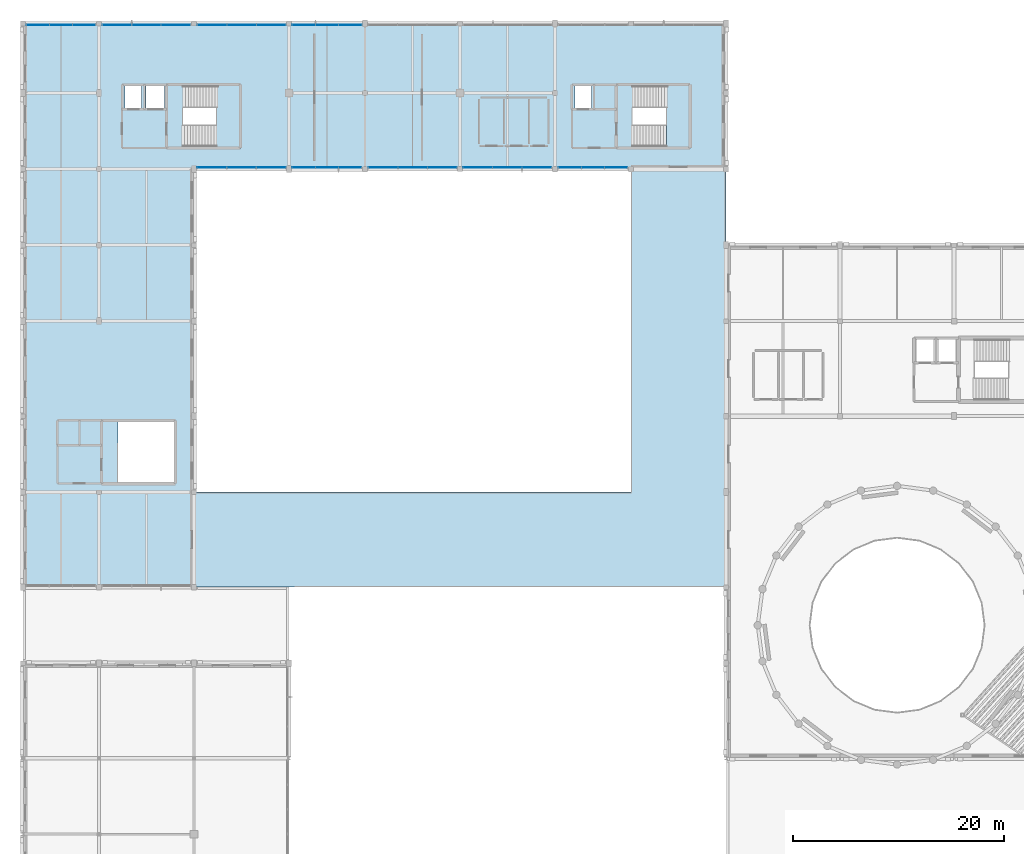
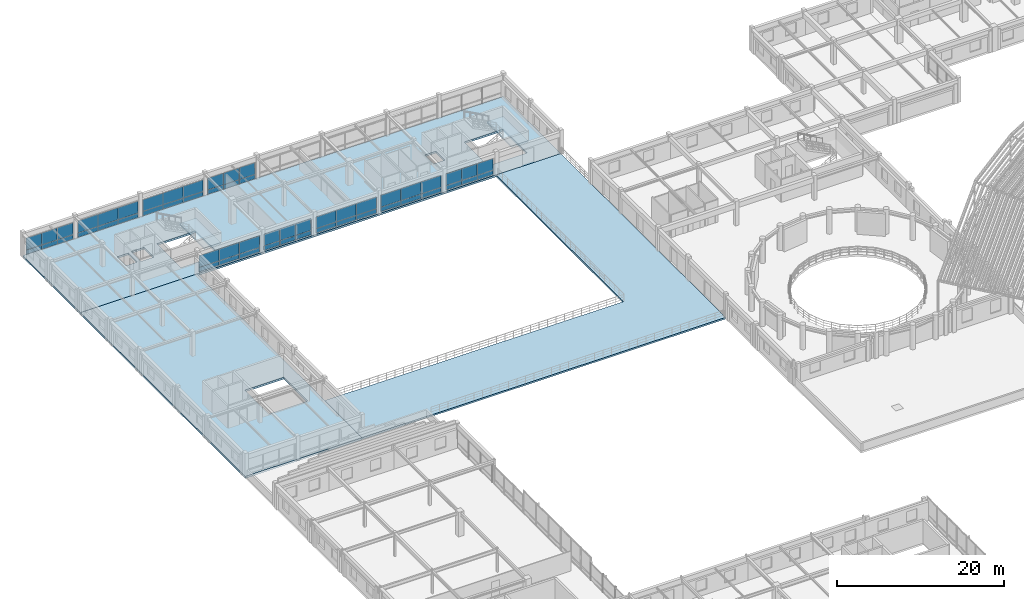
# One storey, part 41 of 74: 54 plates, 5 slabs, 11 elements without a shape of their own.
"""IFC4 building model written with IfcOpenShell, lengths in metres."""

from ifc_helpers import new_model, si_unit, direction, frame, frame_2d, origin, place, context, subcontext, project, spatial, polyline, rectangle, outline, extrude, material, layer, layer_set, type_object, element, aggregate, save


model = new_model("IFC4")

# Units and contexts
model_context = context("Model", 3, precision=1e-05, world=origin(), true_north=direction((0.0, 1.0)))
body_context = subcontext(model_context, "Body", "Model", "MODEL_VIEW")
ifc_project = project(units=[si_unit("LENGTHUNIT", "METRE"), si_unit("AREAUNIT", "SQUARE_METRE"), si_unit("VOLUMEUNIT", "CUBIC_METRE"), si_unit("PLANEANGLEUNIT", "RADIAN"), si_unit("MASSUNIT", "GRAM", prefix="KILO")], contexts=[model_context])

# Site, building, storey
site_placement = place(None, origin())
site = spatial("IfcSite", under=ifc_project, at=site_placement, CompositionType="ELEMENT")
building_placement = place(site_placement, origin())
building = spatial("IfcBuilding", under=site, at=building_placement, Name="Clarverna Civic Hall", CompositionType="ELEMENT")
storey_placement = place(building_placement, frame((0.0, 0.0, 13.199951171875)))
storey = spatial("IfcBuildingStorey", under=building, at=storey_placement, Name="L03", CompositionType="ELEMENT", Elevation=13.199951171875)

# Curtain wall, plates
ifc_material_1 = material(Name="Anodised Bronze Architectural Aluminium", Category="aluminium")
curtain_wall_type = type_object("IfcCurtainWallType", Name="CW-05", PredefinedType="USERDEFINED", material=ifc_material_1)
curtain_wall_1_placement = place(storey_placement, origin())
curtain_wall_1 = element("IfcCurtainWall", 1, at=curtain_wall_1_placement, inside=storey, type_object=curtain_wall_type, Name="CW-05-001", ObjectType="UNITISED CURTAIN WALL", PredefinedType="USERDEFINED")
ifc_material_2 = material(Name="Solar-Control Argon Low-E Double Glazing", Category="glass")
ifc_layer_1 = layer(ifc_material_2, 0.031982421875)
ifc_layer_set_1 = layer_set([ifc_layer_1], Name="Solar-Control Argon Low-E Double Glazing")
plate_type_1 = type_object("IfcPlateType", Name="CWP-01", PredefinedType="CURTAIN_PANEL", material=ifc_layer_set_1)
plate_1_placement = place(storey_placement, frame((0.337890625, 115.860107421875, 0.76513671875), z_axis=(0.0, 0.0, 1.0), x_axis=(1.0, 0.0, 0.0)))
plate_1 = element("IfcPlate", 2, at=plate_1_placement, type_object=plate_type_1, Name="CWP-01-418", PredefinedType="CURTAIN_PANEL", context=body_context, shape_type="SweptSolid", body=[
    extrude(rectangle(XDim=2.15478515625, YDim=0.031982421875, at=frame_2d((1.077392578125, 0.0))), origin(), (0.0, 0.0, 1.0), 1.744873046875),
])
plate_2_placement = place(storey_placement, frame((2.522705078125, 115.860107421875, 0.76513671875), z_axis=(0.0, 0.0, 1.0), x_axis=(1.0, 0.0, 0.0)))
plate_2 = element("IfcPlate", 3, at=plate_2_placement, type_object=plate_type_1, Name="CWP-01-419", PredefinedType="CURTAIN_PANEL", context=body_context, shape_type="SweptSolid", body=[
    extrude(rectangle(XDim=2.154541015625, YDim=0.031982421875, at=frame_2d((1.0771484375, 0.0))), origin(), (0.0, 0.0, 1.0), 1.744873046875),
])
plate_3_placement = place(storey_placement, frame((4.707275390625, 115.860107421875, 0.76513671875), z_axis=(0.0, 0.0, 1.0), x_axis=(1.0, 0.0, 0.0)))
plate_3 = element("IfcPlate", 4, at=plate_3_placement, type_object=plate_type_1, Name="CWP-01-420", PredefinedType="CURTAIN_PANEL", context=body_context, shape_type="SweptSolid", body=[
    extrude(rectangle(XDim=2.15478515625, YDim=0.031982421875, at=frame_2d((1.077392578125, 0.0))), origin(), (0.0, 0.0, 1.0), 1.744873046875),
])

curtain_wall_2_placement = place(storey_placement, origin())
curtain_wall_2 = element("IfcCurtainWall", 5, at=curtain_wall_2_placement, inside=storey, type_object=curtain_wall_type, Name="CW-05-002", ObjectType="UNITISED CURTAIN WALL", PredefinedType="USERDEFINED")
plate_4_placement = place(storey_placement, frame((7.5380859375, 115.860107421875, 0.76513671875), z_axis=(0.0, 0.0, 1.0), x_axis=(1.0, 0.0, 0.0)))
plate_4 = element("IfcPlate", 6, at=plate_4_placement, type_object=plate_type_1, Name="CWP-01-421", PredefinedType="CURTAIN_PANEL", context=body_context, shape_type="SweptSolid", body=[
    extrude(rectangle(XDim=2.754638671875, YDim=0.031982421875, at=frame_2d((1.37744140625, 0.0))), origin(), (0.0, 0.0, 1.0), 1.744873046875),
])
plate_5_placement = place(storey_placement, frame((10.32275390625, 115.860107421875, 0.76513671875), z_axis=(0.0, 0.0, 1.0), x_axis=(1.0, 0.0, 0.0)))
plate_5 = element("IfcPlate", 7, at=plate_5_placement, type_object=plate_type_1, Name="CWP-01-422", PredefinedType="CURTAIN_PANEL", context=body_context, shape_type="SweptSolid", body=[
    extrude(rectangle(XDim=2.754638671875, YDim=0.031982421875, at=frame_2d((1.37744140625, 0.0))), origin(), (0.0, 0.0, 1.0), 1.744873046875),
])
plate_6_placement = place(storey_placement, frame((13.107421875, 115.860107421875, 0.76513671875), z_axis=(0.0, 0.0, 1.0), x_axis=(1.0, 0.0, 0.0)))
plate_6 = element("IfcPlate", 8, at=plate_6_placement, type_object=plate_type_1, Name="CWP-01-423", PredefinedType="CURTAIN_PANEL", context=body_context, shape_type="SweptSolid", body=[
    extrude(rectangle(XDim=2.754638671875, YDim=0.031982421875, at=frame_2d((1.37744140625, 0.0))), origin(), (0.0, 0.0, 1.0), 1.744873046875),
])

curtain_wall_3_placement = place(storey_placement, origin())
curtain_wall_3 = element("IfcCurtainWall", 9, at=curtain_wall_3_placement, inside=storey, type_object=curtain_wall_type, Name="CW-05-003", ObjectType="UNITISED CURTAIN WALL", PredefinedType="USERDEFINED")
plate_7_placement = place(storey_placement, frame((16.5380859375, 115.860107421875, 0.76513671875), z_axis=(0.0, 0.0, 1.0), x_axis=(1.0, 0.0, 0.0)))
plate_7 = element("IfcPlate", 10, at=plate_7_placement, type_object=plate_type_1, Name="CWP-01-424", PredefinedType="CURTAIN_PANEL", context=body_context, shape_type="SweptSolid", body=[
    extrude(rectangle(XDim=2.762939453125, YDim=0.031982421875, at=frame_2d((1.38134765625, 0.0))), origin(), (0.0, 0.0, 1.0), 1.704833984375),
])
plate_8_placement = place(storey_placement, frame((19.3310546875, 115.860107421875, 0.76513671875), z_axis=(0.0, 0.0, 1.0), x_axis=(1.0, 0.0, 0.0)))
plate_8 = element("IfcPlate", 11, at=plate_8_placement, type_object=plate_type_1, Name="CWP-01-425", PredefinedType="CURTAIN_PANEL", context=body_context, shape_type="SweptSolid", body=[
    extrude(rectangle(XDim=2.762939453125, YDim=0.031982421875, at=frame_2d((1.38134765625, 0.0))), origin(), (0.0, 0.0, 1.0), 1.704833984375),
])
plate_9_placement = place(storey_placement, frame((22.1240234375, 115.860107421875, 0.76513671875), z_axis=(0.0, 0.0, 1.0), x_axis=(1.0, 0.0, 0.0)))
plate_9 = element("IfcPlate", 12, at=plate_9_placement, type_object=plate_type_1, Name="CWP-01-426", PredefinedType="CURTAIN_PANEL", context=body_context, shape_type="SweptSolid", body=[
    extrude(rectangle(XDim=2.762939453125, YDim=0.031982421875, at=frame_2d((1.38134765625, 0.0))), origin(), (0.0, 0.0, 1.0), 1.704833984375),
])

curtain_wall_4_placement = place(storey_placement, origin())
curtain_wall_4 = element("IfcCurtainWall", 13, at=curtain_wall_4_placement, inside=storey, type_object=curtain_wall_type, Name="CW-05-004", ObjectType="UNITISED CURTAIN WALL", PredefinedType="USERDEFINED")
plate_10_placement = place(storey_placement, frame((25.512939453125, 115.860107421875, 0.76513671875), z_axis=(0.0, 0.0, 1.0), x_axis=(1.0, 0.0, 0.0)))
plate_10 = element("IfcPlate", 14, at=plate_10_placement, type_object=plate_type_1, Name="CWP-01-427", PredefinedType="CURTAIN_PANEL", context=body_context, shape_type="SweptSolid", body=[
    extrude(rectangle(XDim=2.17138671875, YDim=0.031982421875, at=frame_2d((1.085693359375, 0.0))), origin(), (0.0, 0.0, 1.0), 1.704833984375),
])
plate_11_placement = place(storey_placement, frame((27.71435546875, 115.860107421875, 0.76513671875), z_axis=(0.0, 0.0, 1.0), x_axis=(1.0, 0.0, 0.0)))
plate_11 = element("IfcPlate", 15, at=plate_11_placement, type_object=plate_type_1, Name="CWP-01-428", PredefinedType="CURTAIN_PANEL", context=body_context, shape_type="SweptSolid", body=[
    extrude(rectangle(XDim=2.17138671875, YDim=0.031982421875, at=frame_2d((1.085693359375, 0.0))), origin(), (0.0, 0.0, 1.0), 1.704833984375),
])
plate_12_placement = place(storey_placement, frame((29.915771484375, 115.860107421875, 0.76513671875), z_axis=(0.0, 0.0, 1.0), x_axis=(1.0, 0.0, 0.0)))
plate_12 = element("IfcPlate", 16, at=plate_12_placement, type_object=plate_type_1, Name="CWP-01-429", PredefinedType="CURTAIN_PANEL", context=body_context, shape_type="SweptSolid", body=[
    extrude(rectangle(XDim=2.171142578125, YDim=0.031982421875, at=frame_2d((1.08544921875, 0.0))), origin(), (0.0, 0.0, 1.0), 1.704833984375),
])

curtain_wall_5_placement = place(storey_placement, origin())
curtain_wall_5 = element("IfcCurtainWall", 17, at=curtain_wall_5_placement, inside=storey, type_object=curtain_wall_type, Name="CW-05-009", ObjectType="UNITISED CURTAIN WALL", PredefinedType="USERDEFINED")
plate_13_placement = place(storey_placement, frame((57.261962890625, 102.340087890625, 0.76513671875), z_axis=(0.0, 0.0, 1.0), x_axis=(-1.0, 0.0, 0.0)))
plate_13 = element("IfcPlate", 18, at=plate_13_placement, type_object=plate_type_1, Name="CWP-01-442", PredefinedType="CURTAIN_PANEL", context=body_context, shape_type="SweptSolid", body=[
    extrude(rectangle(XDim=2.154541015625, YDim=0.031982421875, at=frame_2d((1.0771484375, 0.0))), origin(), (0.0, 0.0, 1.0), 1.704833984375),
])
plate_14_placement = place(storey_placement, frame((55.077392578125, 102.340087890625, 0.76513671875), z_axis=(0.0, 0.0, 1.0), x_axis=(-1.0, 0.0, 0.0)))
plate_14 = element("IfcPlate", 19, at=plate_14_placement, type_object=plate_type_1, Name="CWP-01-443", PredefinedType="CURTAIN_PANEL", context=body_context, shape_type="SweptSolid", body=[
    extrude(rectangle(XDim=2.15478515625, YDim=0.031982421875, at=frame_2d((1.077392578125, 0.0))), origin(), (0.0, 0.0, 1.0), 1.704833984375),
])
plate_15_placement = place(storey_placement, frame((52.892578125, 102.340087890625, 0.76513671875), z_axis=(0.0, 0.0, 1.0), x_axis=(-1.0, 0.0, 0.0)))
plate_15 = element("IfcPlate", 20, at=plate_15_placement, type_object=plate_type_1, Name="CWP-01-444", PredefinedType="CURTAIN_PANEL", context=body_context, shape_type="SweptSolid", body=[
    extrude(rectangle(XDim=2.154541015625, YDim=0.031982421875, at=frame_2d((1.0771484375, 0.0))), origin(), (0.0, 0.0, 1.0), 1.704833984375),
])

curtain_wall_6_placement = place(storey_placement, origin())
curtain_wall_6 = element("IfcCurtainWall", 21, at=curtain_wall_6_placement, inside=storey, type_object=curtain_wall_type, Name="CW-05-010", ObjectType="UNITISED CURTAIN WALL", PredefinedType="USERDEFINED")
plate_16_placement = place(storey_placement, frame((50.06201171875, 102.340087890625, 0.76513671875), z_axis=(0.0, 0.0, 1.0), x_axis=(-1.0, 0.0, 0.0)))
plate_16 = element("IfcPlate", 22, at=plate_16_placement, type_object=plate_type_1, Name="CWP-01-445", PredefinedType="CURTAIN_PANEL", context=body_context, shape_type="SweptSolid", body=[
    extrude(rectangle(XDim=2.762939453125, YDim=0.031982421875, at=frame_2d((1.38134765625, 0.0))), origin(), (0.0, 0.0, 1.0), 1.744873046875),
])
plate_17_placement = place(storey_placement, frame((47.26904296875, 102.340087890625, 0.76513671875), z_axis=(0.0, 0.0, 1.0), x_axis=(-1.0, 0.0, 0.0)))
plate_17 = element("IfcPlate", 23, at=plate_17_placement, type_object=plate_type_1, Name="CWP-01-446", PredefinedType="CURTAIN_PANEL", context=body_context, shape_type="SweptSolid", body=[
    extrude(rectangle(XDim=2.762939453125, YDim=0.031982421875, at=frame_2d((1.38134765625, 0.0))), origin(), (0.0, 0.0, 1.0), 1.744873046875),
])
plate_18_placement = place(storey_placement, frame((44.47607421875, 102.340087890625, 0.76513671875), z_axis=(0.0, 0.0, 1.0), x_axis=(-1.0, 0.0, 0.0)))
plate_18 = element("IfcPlate", 24, at=plate_18_placement, type_object=plate_type_1, Name="CWP-01-447", PredefinedType="CURTAIN_PANEL", context=body_context, shape_type="SweptSolid", body=[
    extrude(rectangle(XDim=2.76318359375, YDim=0.031982421875, at=frame_2d((1.381591796875, 0.0))), origin(), (0.0, 0.0, 1.0), 1.744873046875),
])

curtain_wall_7_placement = place(storey_placement, origin())
curtain_wall_7 = element("IfcCurtainWall", 25, at=curtain_wall_7_placement, inside=storey, type_object=curtain_wall_type, Name="CW-05-011", ObjectType="UNITISED CURTAIN WALL", PredefinedType="USERDEFINED")
plate_19_placement = place(storey_placement, frame((41.0869140625, 102.340087890625, 0.76513671875), z_axis=(0.0, 0.0, 1.0), x_axis=(-1.0, 0.0, 0.0)))
plate_19 = element("IfcPlate", 26, at=plate_19_placement, type_object=plate_type_1, Name="CWP-01-448", PredefinedType="CURTAIN_PANEL", context=body_context, shape_type="SweptSolid", body=[
    extrude(rectangle(XDim=2.762939453125, YDim=0.031982421875, at=frame_2d((1.38134765625, 0.0))), origin(), (0.0, 0.0, 1.0), 1.704833984375),
])
plate_20_placement = place(storey_placement, frame((38.2939453125, 102.340087890625, 0.76513671875), z_axis=(0.0, 0.0, 1.0), x_axis=(-1.0, 0.0, 0.0)))
plate_20 = element("IfcPlate", 27, at=plate_20_placement, type_object=plate_type_1, Name="CWP-01-449", PredefinedType="CURTAIN_PANEL", context=body_context, shape_type="SweptSolid", body=[
    extrude(rectangle(XDim=2.762939453125, YDim=0.031982421875, at=frame_2d((1.38134765625, 0.0))), origin(), (0.0, 0.0, 1.0), 1.704833984375),
])
plate_21_placement = place(storey_placement, frame((35.5009765625, 102.340087890625, 0.76513671875), z_axis=(0.0, 0.0, 1.0), x_axis=(-1.0, 0.0, 0.0)))
plate_21 = element("IfcPlate", 28, at=plate_21_placement, type_object=plate_type_1, Name="CWP-01-450", PredefinedType="CURTAIN_PANEL", context=body_context, shape_type="SweptSolid", body=[
    extrude(rectangle(XDim=2.762939453125, YDim=0.031982421875, at=frame_2d((1.38134765625, 0.0))), origin(), (0.0, 0.0, 1.0), 1.704833984375),
])

curtain_wall_8_placement = place(storey_placement, origin())
curtain_wall_8 = element("IfcCurtainWall", 29, at=curtain_wall_8_placement, inside=storey, type_object=curtain_wall_type, Name="CW-05-012", ObjectType="UNITISED CURTAIN WALL", PredefinedType="USERDEFINED")
plate_22_placement = place(storey_placement, frame((32.06201171875, 102.340087890625, 0.76513671875), z_axis=(0.0, 0.0, 1.0), x_axis=(-1.0, 0.0, 0.0)))
plate_22 = element("IfcPlate", 30, at=plate_22_placement, type_object=plate_type_1, Name="CWP-01-451", PredefinedType="CURTAIN_PANEL", context=body_context, shape_type="SweptSolid", body=[
    extrude(rectangle(XDim=2.1630859375, YDim=0.031982421875, at=frame_2d((1.08154296875, 0.0))), origin(), (0.0, 0.0, 1.0), 1.704833984375),
])
plate_23_placement = place(storey_placement, frame((29.868896484375, 102.340087890625, 0.76513671875), z_axis=(0.0, 0.0, 1.0), x_axis=(-1.0, 0.0, 0.0)))
plate_23 = element("IfcPlate", 31, at=plate_23_placement, type_object=plate_type_1, Name="CWP-01-452", PredefinedType="CURTAIN_PANEL", context=body_context, shape_type="SweptSolid", body=[
    extrude(rectangle(XDim=2.162841796875, YDim=0.031982421875, at=frame_2d((1.08154296875, 0.0))), origin(), (0.0, 0.0, 1.0), 1.704833984375),
])
plate_24_placement = place(storey_placement, frame((27.676025390625, 102.340087890625, 0.76513671875), z_axis=(0.0, 0.0, 1.0), x_axis=(-1.0, 0.0, 0.0)))
plate_24 = element("IfcPlate", 32, at=plate_24_placement, type_object=plate_type_1, Name="CWP-01-453", PredefinedType="CURTAIN_PANEL", context=body_context, shape_type="SweptSolid", body=[
    extrude(rectangle(XDim=2.1630859375, YDim=0.031982421875, at=frame_2d((1.08154296875, 0.0))), origin(), (0.0, 0.0, 1.0), 1.704833984375),
])

curtain_wall_9_placement = place(storey_placement, origin())
curtain_wall_9 = element("IfcCurtainWall", 33, at=curtain_wall_9_placement, inside=storey, type_object=curtain_wall_type, Name="CW-05-013", ObjectType="UNITISED CURTAIN WALL", PredefinedType="USERDEFINED")
plate_25_placement = place(storey_placement, frame((24.886962890625, 102.340087890625, 0.76513671875), z_axis=(0.0, 0.0, 1.0), x_axis=(-1.0, 0.0, 0.0)))
plate_25 = element("IfcPlate", 34, at=plate_25_placement, type_object=plate_type_1, Name="CWP-01-454", PredefinedType="CURTAIN_PANEL", context=body_context, shape_type="SweptSolid", body=[
    extrude(rectangle(XDim=2.771240234375, YDim=0.031982421875, at=frame_2d((1.3857421875, 0.0))), origin(), (0.0, 0.0, 1.0), 1.704833984375),
])
plate_26_placement = place(storey_placement, frame((22.085693359375, 102.340087890625, 0.76513671875), z_axis=(0.0, 0.0, 1.0), x_axis=(-1.0, 0.0, 0.0)))
plate_26 = element("IfcPlate", 35, at=plate_26_placement, type_object=plate_type_1, Name="CWP-01-455", PredefinedType="CURTAIN_PANEL", context=body_context, shape_type="SweptSolid", body=[
    extrude(rectangle(XDim=2.771484375, YDim=0.031982421875, at=frame_2d((1.3857421875, 0.0))), origin(), (0.0, 0.0, 1.0), 1.704833984375),
])
plate_27_placement = place(storey_placement, frame((19.2841796875, 102.340087890625, 0.76513671875), z_axis=(0.0, 0.0, 1.0), x_axis=(-1.0, 0.0, 0.0)))
plate_27 = element("IfcPlate", 36, at=plate_27_placement, type_object=plate_type_1, Name="CWP-01-456", PredefinedType="CURTAIN_PANEL", context=body_context, shape_type="SweptSolid", body=[
    extrude(rectangle(XDim=2.771240234375, YDim=0.031982421875, at=frame_2d((1.3857421875, 0.0))), origin(), (0.0, 0.0, 1.0), 1.704833984375),
])

# Plate
ifc_material_3 = material(Name="Insulated Anodised Bronze Spandrel Panel", Category="aluminium")
ifc_layer_2 = layer(ifc_material_3, 0.048095703125)
ifc_layer_set_2 = layer_set([ifc_layer_2], Name="Insulated Anodised Bronze Spandrel Panel")
plate_type_2 = type_object("IfcPlateType", Name="CWP-03", PredefinedType="CURTAIN_PANEL", material=ifc_layer_set_2)
plate_28_placement = place(storey_placement, frame((0.337890625, 115.860107421875, 0.110107421875), z_axis=(0.0, 0.0, 1.0), x_axis=(1.0, 0.0, 0.0)))
plate_28 = element("IfcPlate", 37, at=plate_28_placement, type_object=plate_type_2, Name="CWP-03-420", PredefinedType="CURTAIN_PANEL", context=body_context, shape_type="SweptSolid", body=[
    extrude(rectangle(XDim=2.15478515625, YDim=0.048095703125, at=frame_2d((1.077392578125, 0.0))), origin(), (0.0, 0.0, 1.0), 0.625),
])

plate_29_placement = place(storey_placement, frame((2.522705078125, 115.860107421875, 0.110107421875), z_axis=(0.0, 0.0, 1.0), x_axis=(1.0, 0.0, 0.0)))
plate_29 = element("IfcPlate", 38, at=plate_29_placement, type_object=plate_type_2, Name="CWP-03-421", PredefinedType="CURTAIN_PANEL", context=body_context, shape_type="SweptSolid", body=[
    extrude(rectangle(XDim=2.154541015625, YDim=0.048095703125, at=frame_2d((1.0771484375, 0.0))), origin(), (0.0, 0.0, 1.0), 0.625),
])

plate_30_placement = place(storey_placement, frame((4.707275390625, 115.860107421875, 0.110107421875), z_axis=(0.0, 0.0, 1.0), x_axis=(1.0, 0.0, 0.0)))
plate_30 = element("IfcPlate", 39, at=plate_30_placement, type_object=plate_type_2, Name="CWP-03-422", PredefinedType="CURTAIN_PANEL", context=body_context, shape_type="SweptSolid", body=[
    extrude(rectangle(XDim=2.15478515625, YDim=0.048095703125, at=frame_2d((1.077392578125, 0.0))), origin(), (0.0, 0.0, 1.0), 0.625),
])

aggregate(curtain_wall_1, [plate_28, plate_1, plate_29, plate_2, plate_30, plate_3])

plate_31_placement = place(storey_placement, frame((7.5380859375, 115.860107421875, 0.110107421875), z_axis=(0.0, 0.0, 1.0), x_axis=(1.0, 0.0, 0.0)))
plate_31 = element("IfcPlate", 40, at=plate_31_placement, type_object=plate_type_2, Name="CWP-03-423", PredefinedType="CURTAIN_PANEL", context=body_context, shape_type="SweptSolid", body=[
    extrude(rectangle(XDim=2.754638671875, YDim=0.048095703125, at=frame_2d((1.37744140625, 0.0))), origin(), (0.0, 0.0, 1.0), 0.625),
])

plate_32_placement = place(storey_placement, frame((10.32275390625, 115.860107421875, 0.110107421875), z_axis=(0.0, 0.0, 1.0), x_axis=(1.0, 0.0, 0.0)))
plate_32 = element("IfcPlate", 41, at=plate_32_placement, type_object=plate_type_2, Name="CWP-03-424", PredefinedType="CURTAIN_PANEL", context=body_context, shape_type="SweptSolid", body=[
    extrude(rectangle(XDim=2.754638671875, YDim=0.048095703125, at=frame_2d((1.37744140625, 0.0))), origin(), (0.0, 0.0, 1.0), 0.625),
])

plate_33_placement = place(storey_placement, frame((13.107421875, 115.860107421875, 0.110107421875), z_axis=(0.0, 0.0, 1.0), x_axis=(1.0, 0.0, 0.0)))
plate_33 = element("IfcPlate", 42, at=plate_33_placement, type_object=plate_type_2, Name="CWP-03-425", PredefinedType="CURTAIN_PANEL", context=body_context, shape_type="SweptSolid", body=[
    extrude(rectangle(XDim=2.754638671875, YDim=0.048095703125, at=frame_2d((1.37744140625, 0.0))), origin(), (0.0, 0.0, 1.0), 0.625),
])

aggregate(curtain_wall_2, [plate_31, plate_4, plate_32, plate_5, plate_33, plate_6])

plate_34_placement = place(storey_placement, frame((16.5380859375, 115.860107421875, 0.110107421875), z_axis=(0.0, 0.0, 1.0), x_axis=(1.0, 0.0, 0.0)))
plate_34 = element("IfcPlate", 43, at=plate_34_placement, type_object=plate_type_2, Name="CWP-03-426", PredefinedType="CURTAIN_PANEL", context=body_context, shape_type="SweptSolid", body=[
    extrude(rectangle(XDim=2.762939453125, YDim=0.048095703125, at=frame_2d((1.38134765625, 0.0))), origin(), (0.0, 0.0, 1.0), 0.625),
])

plate_35_placement = place(storey_placement, frame((19.3310546875, 115.860107421875, 0.110107421875), z_axis=(0.0, 0.0, 1.0), x_axis=(1.0, 0.0, 0.0)))
plate_35 = element("IfcPlate", 44, at=plate_35_placement, type_object=plate_type_2, Name="CWP-03-427", PredefinedType="CURTAIN_PANEL", context=body_context, shape_type="SweptSolid", body=[
    extrude(rectangle(XDim=2.762939453125, YDim=0.048095703125, at=frame_2d((1.38134765625, 0.0))), origin(), (0.0, 0.0, 1.0), 0.625),
])

plate_36_placement = place(storey_placement, frame((22.1240234375, 115.860107421875, 0.110107421875), z_axis=(0.0, 0.0, 1.0), x_axis=(1.0, 0.0, 0.0)))
plate_36 = element("IfcPlate", 45, at=plate_36_placement, type_object=plate_type_2, Name="CWP-03-428", PredefinedType="CURTAIN_PANEL", context=body_context, shape_type="SweptSolid", body=[
    extrude(rectangle(XDim=2.762939453125, YDim=0.048095703125, at=frame_2d((1.38134765625, 0.0))), origin(), (0.0, 0.0, 1.0), 0.625),
])

aggregate(curtain_wall_3, [plate_34, plate_7, plate_35, plate_8, plate_36, plate_9])

plate_37_placement = place(storey_placement, frame((25.512939453125, 115.860107421875, 0.110107421875), z_axis=(0.0, 0.0, 1.0), x_axis=(1.0, 0.0, 0.0)))
plate_37 = element("IfcPlate", 46, at=plate_37_placement, type_object=plate_type_2, Name="CWP-03-429", PredefinedType="CURTAIN_PANEL", context=body_context, shape_type="SweptSolid", body=[
    extrude(rectangle(XDim=2.17138671875, YDim=0.048095703125, at=frame_2d((1.085693359375, 0.0))), origin(), (0.0, 0.0, 1.0), 0.625),
])

plate_38_placement = place(storey_placement, frame((27.71435546875, 115.860107421875, 0.110107421875), z_axis=(0.0, 0.0, 1.0), x_axis=(1.0, 0.0, 0.0)))
plate_38 = element("IfcPlate", 47, at=plate_38_placement, type_object=plate_type_2, Name="CWP-03-430", PredefinedType="CURTAIN_PANEL", context=body_context, shape_type="SweptSolid", body=[
    extrude(rectangle(XDim=2.17138671875, YDim=0.048095703125, at=frame_2d((1.085693359375, 0.0))), origin(), (0.0, 0.0, 1.0), 0.625),
])

plate_39_placement = place(storey_placement, frame((29.915771484375, 115.860107421875, 0.110107421875), z_axis=(0.0, 0.0, 1.0), x_axis=(1.0, 0.0, 0.0)))
plate_39 = element("IfcPlate", 48, at=plate_39_placement, type_object=plate_type_2, Name="CWP-03-431", PredefinedType="CURTAIN_PANEL", context=body_context, shape_type="SweptSolid", body=[
    extrude(rectangle(XDim=2.171142578125, YDim=0.048095703125, at=frame_2d((1.08544921875, 0.0))), origin(), (0.0, 0.0, 1.0), 0.625),
])

aggregate(curtain_wall_4, [plate_37, plate_10, plate_38, plate_11, plate_39, plate_12])

plate_40_placement = place(storey_placement, frame((57.261962890625, 102.340087890625, 0.110107421875), z_axis=(0.0, 0.0, 1.0), x_axis=(-1.0, 0.0, 0.0)))
plate_40 = element("IfcPlate", 49, at=plate_40_placement, type_object=plate_type_2, Name="CWP-03-444", PredefinedType="CURTAIN_PANEL", context=body_context, shape_type="SweptSolid", body=[
    extrude(rectangle(XDim=2.154541015625, YDim=0.048095703125, at=frame_2d((1.0771484375, 0.0))), origin(), (0.0, 0.0, 1.0), 0.625),
])

plate_41_placement = place(storey_placement, frame((55.077392578125, 102.340087890625, 0.110107421875), z_axis=(0.0, 0.0, 1.0), x_axis=(-1.0, 0.0, 0.0)))
plate_41 = element("IfcPlate", 50, at=plate_41_placement, type_object=plate_type_2, Name="CWP-03-445", PredefinedType="CURTAIN_PANEL", context=body_context, shape_type="SweptSolid", body=[
    extrude(rectangle(XDim=2.15478515625, YDim=0.048095703125, at=frame_2d((1.077392578125, 0.0))), origin(), (0.0, 0.0, 1.0), 0.625),
])

plate_42_placement = place(storey_placement, frame((52.892578125, 102.340087890625, 0.110107421875), z_axis=(0.0, 0.0, 1.0), x_axis=(-1.0, 0.0, 0.0)))
plate_42 = element("IfcPlate", 51, at=plate_42_placement, type_object=plate_type_2, Name="CWP-03-446", PredefinedType="CURTAIN_PANEL", context=body_context, shape_type="SweptSolid", body=[
    extrude(rectangle(XDim=2.154541015625, YDim=0.048095703125, at=frame_2d((1.0771484375, 0.0))), origin(), (0.0, 0.0, 1.0), 0.625),
])

aggregate(curtain_wall_5, [plate_40, plate_13, plate_41, plate_14, plate_42, plate_15])

plate_43_placement = place(storey_placement, frame((50.06201171875, 102.340087890625, 0.110107421875), z_axis=(0.0, 0.0, 1.0), x_axis=(-1.0, 0.0, 0.0)))
plate_43 = element("IfcPlate", 52, at=plate_43_placement, type_object=plate_type_2, Name="CWP-03-447", PredefinedType="CURTAIN_PANEL", context=body_context, shape_type="SweptSolid", body=[
    extrude(rectangle(XDim=2.762939453125, YDim=0.048095703125, at=frame_2d((1.38134765625, 0.0))), origin(), (0.0, 0.0, 1.0), 0.625),
])

plate_44_placement = place(storey_placement, frame((47.26904296875, 102.340087890625, 0.110107421875), z_axis=(0.0, 0.0, 1.0), x_axis=(-1.0, 0.0, 0.0)))
plate_44 = element("IfcPlate", 53, at=plate_44_placement, type_object=plate_type_2, Name="CWP-03-448", PredefinedType="CURTAIN_PANEL", context=body_context, shape_type="SweptSolid", body=[
    extrude(rectangle(XDim=2.762939453125, YDim=0.048095703125, at=frame_2d((1.38134765625, 0.0))), origin(), (0.0, 0.0, 1.0), 0.625),
])

plate_45_placement = place(storey_placement, frame((44.47607421875, 102.340087890625, 0.110107421875), z_axis=(0.0, 0.0, 1.0), x_axis=(-1.0, 0.0, 0.0)))
plate_45 = element("IfcPlate", 54, at=plate_45_placement, type_object=plate_type_2, Name="CWP-03-449", PredefinedType="CURTAIN_PANEL", context=body_context, shape_type="SweptSolid", body=[
    extrude(rectangle(XDim=2.76318359375, YDim=0.048095703125, at=frame_2d((1.381591796875, 0.0))), origin(), (0.0, 0.0, 1.0), 0.625),
])

aggregate(curtain_wall_6, [plate_43, plate_16, plate_44, plate_17, plate_45, plate_18])

plate_46_placement = place(storey_placement, frame((41.0869140625, 102.340087890625, 0.110107421875), z_axis=(0.0, 0.0, 1.0), x_axis=(-1.0, 0.0, 0.0)))
plate_46 = element("IfcPlate", 55, at=plate_46_placement, type_object=plate_type_2, Name="CWP-03-450", PredefinedType="CURTAIN_PANEL", context=body_context, shape_type="SweptSolid", body=[
    extrude(rectangle(XDim=2.762939453125, YDim=0.048095703125, at=frame_2d((1.38134765625, 0.0))), origin(), (0.0, 0.0, 1.0), 0.625),
])

plate_47_placement = place(storey_placement, frame((38.2939453125, 102.340087890625, 0.110107421875), z_axis=(0.0, 0.0, 1.0), x_axis=(-1.0, 0.0, 0.0)))
plate_47 = element("IfcPlate", 56, at=plate_47_placement, type_object=plate_type_2, Name="CWP-03-451", PredefinedType="CURTAIN_PANEL", context=body_context, shape_type="SweptSolid", body=[
    extrude(rectangle(XDim=2.762939453125, YDim=0.048095703125, at=frame_2d((1.38134765625, 0.0))), origin(), (0.0, 0.0, 1.0), 0.625),
])

plate_48_placement = place(storey_placement, frame((35.5009765625, 102.340087890625, 0.110107421875), z_axis=(0.0, 0.0, 1.0), x_axis=(-1.0, 0.0, 0.0)))
plate_48 = element("IfcPlate", 57, at=plate_48_placement, type_object=plate_type_2, Name="CWP-03-452", PredefinedType="CURTAIN_PANEL", context=body_context, shape_type="SweptSolid", body=[
    extrude(rectangle(XDim=2.762939453125, YDim=0.048095703125, at=frame_2d((1.38134765625, 0.0))), origin(), (0.0, 0.0, 1.0), 0.625),
])

aggregate(curtain_wall_7, [plate_46, plate_19, plate_47, plate_20, plate_48, plate_21])

plate_49_placement = place(storey_placement, frame((32.06201171875, 102.340087890625, 0.110107421875), z_axis=(0.0, 0.0, 1.0), x_axis=(-1.0, 0.0, 0.0)))
plate_49 = element("IfcPlate", 58, at=plate_49_placement, type_object=plate_type_2, Name="CWP-03-453", PredefinedType="CURTAIN_PANEL", context=body_context, shape_type="SweptSolid", body=[
    extrude(rectangle(XDim=2.1630859375, YDim=0.048095703125, at=frame_2d((1.08154296875, 0.0))), origin(), (0.0, 0.0, 1.0), 0.625),
])

plate_50_placement = place(storey_placement, frame((29.868896484375, 102.340087890625, 0.110107421875), z_axis=(0.0, 0.0, 1.0), x_axis=(-1.0, 0.0, 0.0)))
plate_50 = element("IfcPlate", 59, at=plate_50_placement, type_object=plate_type_2, Name="CWP-03-454", PredefinedType="CURTAIN_PANEL", context=body_context, shape_type="SweptSolid", body=[
    extrude(rectangle(XDim=2.162841796875, YDim=0.048095703125, at=frame_2d((1.08154296875, 0.0))), origin(), (0.0, 0.0, 1.0), 0.625),
])

plate_51_placement = place(storey_placement, frame((27.676025390625, 102.340087890625, 0.110107421875), z_axis=(0.0, 0.0, 1.0), x_axis=(-1.0, 0.0, 0.0)))
plate_51 = element("IfcPlate", 60, at=plate_51_placement, type_object=plate_type_2, Name="CWP-03-455", PredefinedType="CURTAIN_PANEL", context=body_context, shape_type="SweptSolid", body=[
    extrude(rectangle(XDim=2.1630859375, YDim=0.048095703125, at=frame_2d((1.08154296875, 0.0))), origin(), (0.0, 0.0, 1.0), 0.625),
])

aggregate(curtain_wall_8, [plate_49, plate_22, plate_50, plate_23, plate_51, plate_24])

plate_52_placement = place(storey_placement, frame((24.886962890625, 102.340087890625, 0.110107421875), z_axis=(0.0, 0.0, 1.0), x_axis=(-1.0, 0.0, 0.0)))
plate_52 = element("IfcPlate", 61, at=plate_52_placement, type_object=plate_type_2, Name="CWP-03-456", PredefinedType="CURTAIN_PANEL", context=body_context, shape_type="SweptSolid", body=[
    extrude(rectangle(XDim=2.771240234375, YDim=0.048095703125, at=frame_2d((1.3857421875, 0.0))), origin(), (0.0, 0.0, 1.0), 0.625),
])

plate_53_placement = place(storey_placement, frame((22.085693359375, 102.340087890625, 0.110107421875), z_axis=(0.0, 0.0, 1.0), x_axis=(-1.0, 0.0, 0.0)))
plate_53 = element("IfcPlate", 62, at=plate_53_placement, type_object=plate_type_2, Name="CWP-03-457", PredefinedType="CURTAIN_PANEL", context=body_context, shape_type="SweptSolid", body=[
    extrude(rectangle(XDim=2.771484375, YDim=0.048095703125, at=frame_2d((1.3857421875, 0.0))), origin(), (0.0, 0.0, 1.0), 0.625),
])

plate_54_placement = place(storey_placement, frame((19.2841796875, 102.340087890625, 0.110107421875), z_axis=(0.0, 0.0, 1.0), x_axis=(-1.0, 0.0, 0.0)))
plate_54 = element("IfcPlate", 63, at=plate_54_placement, type_object=plate_type_2, Name="CWP-03-458", PredefinedType="CURTAIN_PANEL", context=body_context, shape_type="SweptSolid", body=[
    extrude(rectangle(XDim=2.771240234375, YDim=0.048095703125, at=frame_2d((1.3857421875, 0.0))), origin(), (0.0, 0.0, 1.0), 0.625),
])

aggregate(curtain_wall_9, [plate_52, plate_25, plate_53, plate_26, plate_54, plate_27])

# Slabs
ifc_material_4 = material(Name="Concrete C30/37", Category="concrete")
ifc_layer_3 = layer(ifc_material_4, 0.280029296875)
ifc_layer_set_3 = layer_set([ifc_layer_3], Name="Concrete C30/37")
slab_type_1 = type_object("IfcSlabType", Name="SL-FL4", PredefinedType="FLOOR", material=ifc_layer_set_3)
slab_1_placement = place(storey_placement, frame((0.0, 0.0, -0.280029296875)))
element("IfcSlab", 64, at=slab_1_placement, inside=storey, type_object=slab_type_1, Name="SL-FL4-018", PredefinedType="FLOOR", context=body_context, shape_type="SweptSolid", body=[
    extrude(outline(polyline([(0.0, 102.199951171875), (66.574951171875, 102.199951171875), (66.574951171875, 116.0), (0.0, 116.0), (0.0, 102.199951171875)]), holes=[polyline([(15.14990234375, 104.320068359375), (20.550048828125, 104.320068359375), (20.550048828125, 110.080078125), (15.14990234375, 110.080078125), (15.14990234375, 104.320068359375)]), polyline([(9.669921875, 107.93994140625), (11.22998046875, 107.93994140625), (11.22998046875, 110.10009765625), (9.669921875, 110.10009765625), (9.669921875, 107.93994140625)]), polyline([(11.669921875, 107.840087890625), (13.429931640625, 107.840087890625), (13.429931640625, 110.199951171875), (11.669921875, 110.199951171875), (11.669921875, 107.840087890625)]), polyline([(57.75, 104.320068359375), (63.14990234375, 104.320068359375), (63.14990234375, 110.080078125), (57.75, 110.080078125), (57.75, 104.320068359375)]), polyline([(52.27001953125, 107.93994140625), (53.830078125, 107.93994140625), (53.830078125, 110.10009765625), (52.27001953125, 110.10009765625), (52.27001953125, 107.93994140625)])]), origin(), (0.0, 0.0, 1.0), 0.280029296875),
])
slab_2_placement = place(storey_placement, frame((0.0, 0.0, -0.280029296875)))
element("IfcSlab", 65, at=slab_2_placement, inside=storey, type_object=slab_type_1, Name="SL-FL4-019", PredefinedType="FLOOR", context=body_context, shape_type="SweptSolid", body=[
    extrude(outline(polyline([(0.0, 102.199951171875), (0.0, 62.60009765625), (16.199951171875, 62.60009765625), (16.199951171875, 102.199951171875), (0.0, 102.199951171875)]), holes=[polyline([(9.0, 72.52001953125), (14.39990234375, 72.52001953125), (14.39990234375, 78.280029296875), (9.0, 78.280029296875), (9.0, 72.52001953125)])]), origin(), (0.0, 0.0, 1.0), 0.280029296875),
])

# Stair, slab
stair_type = type_object("IfcStairType", Name="ST-H1", PredefinedType="HALF_TURN_STAIR", material=ifc_material_4)
stair_1_placement = place(storey_placement, origin())
stair_1 = element("IfcStair", 66, at=stair_1_placement, inside=storey, type_object=stair_type, Name="ST-H1:L03:0016", PredefinedType="HALF_TURN_STAIR")
ifc_layer_4 = layer(ifc_material_4, 0.199951171875)
ifc_layer_set_4 = layer_set([ifc_layer_4], Name="Concrete C30/37")
slab_type_2 = type_object("IfcSlabType", Name="SL-LD1", PredefinedType="LANDING", material=ifc_layer_set_4)
slab_3_placement = place(storey_placement, frame((0.0, 0.0, 1.60009765625)))
slab_3 = element("IfcSlab", 67, at=slab_3_placement, type_object=slab_type_2, Name="SL-LD1-029", PredefinedType="LANDING", context=body_context, shape_type="SweptSolid", body=[
    extrude(outline(polyline([(18.340087890625, 104.219970703125), (20.64990234375, 104.219970703125), (20.64990234375, 110.179931640625), (18.340087890625, 110.179931640625), (18.340087890625, 104.219970703125)])), origin(), (0.0, 0.0, 1.0), 0.199951171875),
])
aggregate(stair_1, [slab_3])

stair_2_placement = place(storey_placement, origin())
stair_2 = element("IfcStair", 68, at=stair_2_placement, inside=storey, type_object=stair_type, Name="ST-H1:L03:0025", PredefinedType="HALF_TURN_STAIR")
slab_4_placement = place(storey_placement, frame((0.0, 0.0, 1.60009765625)))
slab_4 = element("IfcSlab", 69, at=slab_4_placement, type_object=slab_type_2, Name="SL-LD1-048", PredefinedType="LANDING", context=body_context, shape_type="SweptSolid", body=[
    extrude(outline(polyline([(60.93994140625, 104.219970703125), (63.25, 104.219970703125), (63.25, 110.179931640625), (60.93994140625, 110.179931640625), (60.93994140625, 104.219970703125)])), origin(), (0.0, 0.0, 1.0), 0.199951171875),
])
aggregate(stair_2, [slab_4])

# Slab
ifc_layer_5 = layer(ifc_material_4, 0.239990234375)
ifc_layer_set_5 = layer_set([ifc_layer_5], Name="Concrete C30/37")
slab_type_3 = type_object("IfcSlabType", Name="SL-TR1", PredefinedType="FLOOR", material=ifc_layer_set_5)
slab_5_placement = place(storey_placement, frame((0.0, 0.0, -0.239990234375)))
element("IfcSlab", 70, at=slab_5_placement, inside=storey, type_object=slab_type_3, Name="SL-TR1-010", PredefinedType="FLOOR", context=body_context, shape_type="SweptSolid", body=[
    extrude(outline(polyline([(16.199951171875, 62.60009765625), (66.574951171875, 62.60009765625), (66.574951171875, 102.199951171875), (57.60009765625, 102.199951171875), (57.60009765625, 71.60009765625), (16.199951171875, 71.60009765625), (16.199951171875, 62.60009765625)])), origin(), (0.0, 0.0, 1.0), 0.239990234375),
])

save(model, "model.ifc")
